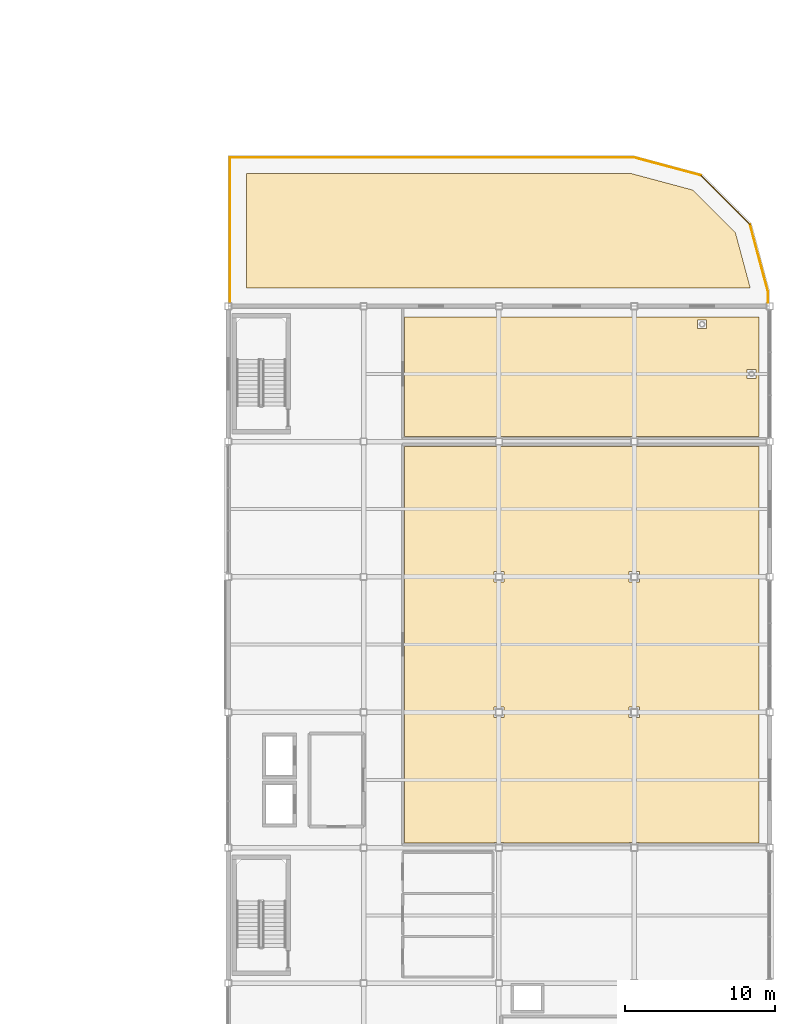
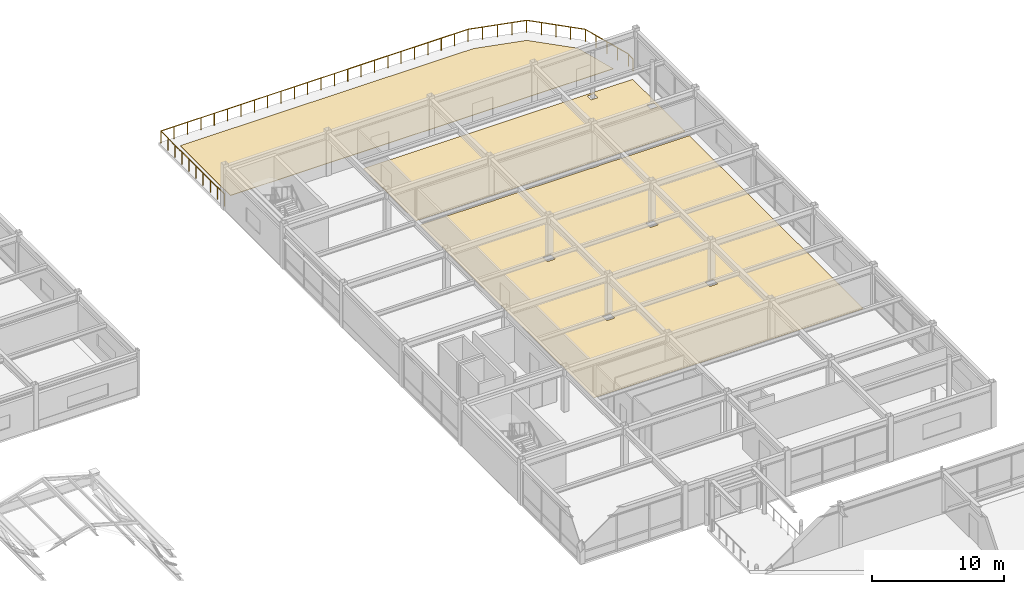
# One storey, part 108 of 108: 6 railings, 3 coverings.
"""IFC4 building model written with IfcOpenShell, lengths in metres."""

from ifc_helpers import new_model, si_unit, direction, frame, origin, origin_2d, place, context, subcontext, project, spatial, polyline, circle, outline, extrude, material, layer, layer_set, type_object, element, save


model = new_model("IFC4")

# Units and contexts
model_context = context("Model", 3, precision=1e-05, world=origin(), true_north=direction((0.0, 1.0)))
body_context = subcontext(model_context, "Body", "Model", "MODEL_VIEW")
ifc_project = project(units=[si_unit("LENGTHUNIT", "METRE"), si_unit("AREAUNIT", "SQUARE_METRE"), si_unit("VOLUMEUNIT", "CUBIC_METRE"), si_unit("PLANEANGLEUNIT", "RADIAN"), si_unit("MASSUNIT", "GRAM", prefix="KILO")], contexts=[model_context])

# Site, building, storey
site_placement = place(None, origin())
site = spatial("IfcSite", under=ifc_project, at=site_placement, CompositionType="ELEMENT")
building_placement = place(site_placement, origin())
building = spatial("IfcBuilding", under=site, at=building_placement, Name="Suzunagisa Mobility Hub", CompositionType="ELEMENT")
storey_placement = place(building_placement, frame((0.0, 0.0, 9.300048828125)))
storey = spatial("IfcBuildingStorey", under=building, at=storey_placement, Name="L02", CompositionType="ELEMENT", Elevation=9.300048828125)

# Coverings
ifc_material_1 = material(Name="Polished Aggregate Terrazzo Finish")
ifc_layer_1 = layer(ifc_material_1, 0.02001953125)
ifc_layer_set_1 = layer_set([ifc_layer_1], Name="Polished Aggregate Terrazzo Finish")
covering_type_1 = type_object("IfcCoveringType", Name="Polished Terrazzo Heavy-Traffic Flooring FLR-01", PredefinedType="FLOORING", material=ifc_layer_set_1)
covering_1_placement = place(storey_placement, origin())
element("IfcCovering", 1, at=covering_1_placement, inside=storey, type_object=covering_type_1, Name="L02 Community Mobility Exhibition and Civic Forum Hall Terrazzo Flooring", PredefinedType="FLOORING", context=body_context, shape_type="SweptSolid", body=[
    extrude(outline(polyline([(155.719970703125, 62.320068359375), (155.719970703125, 88.679931640625), (161.655029296875, 88.679931640625), (161.655029296875, 88.655029296875), (162.344970703125, 88.655029296875), (162.344970703125, 88.679931640625), (170.655029296875, 88.679931640625), (170.655029296875, 88.655029296875), (171.344970703125, 88.655029296875), (171.344970703125, 88.679931640625), (179.280029296875, 88.679931640625), (179.280029296875, 62.320068359375), (171.344970703125, 62.320068359375), (171.344970703125, 62.344970703125), (170.655029296875, 62.344970703125), (170.655029296875, 62.320068359375), (162.344970703125, 62.320068359375), (162.344970703125, 62.344970703125), (161.655029296875, 62.344970703125), (161.655029296875, 62.320068359375), (155.719970703125, 62.320068359375)]), holes=[polyline([(161.655029296875, 71.344970703125), (161.655029296875, 70.655029296875), (162.344970703125, 70.655029296875), (162.344970703125, 71.344970703125), (161.655029296875, 71.344970703125)]), polyline([(162.344970703125, 80.344970703125), (161.655029296875, 80.344970703125), (161.655029296875, 79.655029296875), (162.344970703125, 79.655029296875), (162.344970703125, 80.344970703125)]), polyline([(170.655029296875, 71.344970703125), (170.655029296875, 70.655029296875), (171.344970703125, 70.655029296875), (171.344970703125, 71.344970703125), (170.655029296875, 71.344970703125)]), polyline([(171.344970703125, 80.344970703125), (170.655029296875, 80.344970703125), (170.655029296875, 79.655029296875), (171.344970703125, 79.655029296875), (171.344970703125, 80.344970703125)])]), origin(), (0.0, 0.0, 1.0), 0.02001953125),
])
covering_2_placement = place(storey_placement, origin())
element("IfcCovering", 2, at=covering_2_placement, inside=storey, type_object=covering_type_1, Name="L02 District Disaster Prevention Stockpile Store L02 Terrazzo Flooring", PredefinedType="FLOORING", context=body_context, shape_type="SweptSolid", body=[
    extrude(outline(polyline([(171.344970703125, 89.320068359375), (171.344970703125, 89.344970703125), (170.655029296875, 89.344970703125), (170.655029296875, 89.320068359375), (162.344970703125, 89.320068359375), (162.344970703125, 89.344970703125), (161.655029296875, 89.344970703125), (161.655029296875, 89.320068359375), (155.719970703125, 89.320068359375), (155.719970703125, 97.280029296875), (179.280029296875, 97.280029296875), (179.280029296875, 89.320068359375), (171.344970703125, 89.320068359375)]), holes=[polyline([(175.7978515625, 97.092041015625), (175.2021484375, 97.092041015625), (175.2021484375, 96.496337890625), (175.7978515625, 96.496337890625), (175.7978515625, 97.092041015625)]), polyline([(179.092041015625, 93.2021484375), (179.092041015625, 93.7978515625), (178.496337890625, 93.7978515625), (178.496337890625, 93.2021484375), (179.092041015625, 93.2021484375)])]), origin(), (0.0, 0.0, 1.0), 0.02001953125),
])

# Railings
ifc_material_2 = material(Name="Anodized Aluminum and Stainless Steel SUS316", Category="metal")
railing_type = type_object("IfcRailingType", Name="Streamline Ship-Deck Tubular Balustrade BL-01", PredefinedType="BALUSTRADE", material=ifc_material_2)
railing_1_placement = place(storey_placement, frame((144.1201171875, 98.25, 0.0)))
element("IfcRailing", 3, at=railing_1_placement, inside=storey, type_object=railing_type, Name="L02 Terrace Perimeter Guardrail GR-53", PredefinedType="BALUSTRADE", context=body_context, shape_type="SweptSolid", body=[
    extrude(circle(Radius=0.02392578125, at=origin_2d()), frame((0.0, 0.0, 1.11572265625), z_axis=(0.0, 1.0, 0.0), x_axis=(-1.0, 0.0, 0.0)), (0.0, 0.0, 1.0), 9.6298828125),
    extrude(circle(Radius=0.02099609375, at=origin_2d()), origin(), (0.0, 0.0, 1.0), 1.091796875),
    extrude(circle(Radius=0.02099609375, at=origin_2d()), frame((0.0, 1.070068359375, 0.0)), (0.0, 0.0, 1.0), 1.091796875),
    extrude(circle(Radius=0.02099609375, at=origin_2d()), frame((0.0, 2.139892578125, 0.0)), (0.0, 0.0, 1.0), 1.091796875),
    extrude(circle(Radius=0.02099609375, at=origin_2d()), frame((0.0, 3.2099609375, 0.0)), (0.0, 0.0, 1.0), 1.091796875),
    extrude(circle(Radius=0.02099609375, at=origin_2d()), frame((0.0, 4.280029296875, 0.0)), (0.0, 0.0, 1.0), 1.091796875),
    extrude(circle(Radius=0.02099609375, at=origin_2d()), frame((0.0, 5.349853515625, 0.0)), (0.0, 0.0, 1.0), 1.091796875),
    extrude(circle(Radius=0.02099609375, at=origin_2d()), frame((0.0, 6.419921875, 0.0)), (0.0, 0.0, 1.0), 1.091796875),
    extrude(circle(Radius=0.02099609375, at=origin_2d()), frame((0.0, 7.489990234375, 0.0)), (0.0, 0.0, 1.0), 1.091796875),
    extrude(circle(Radius=0.02099609375, at=origin_2d()), frame((0.0, 8.559814453125, 0.0)), (0.0, 0.0, 1.0), 1.091796875),
    extrude(circle(Radius=0.02099609375, at=origin_2d()), frame((0.0, 9.6298828125, 0.0)), (0.0, 0.0, 1.0), 1.091796875),
])
railing_2_placement = place(storey_placement, frame((144.1201171875, 107.8798828125, 0.0)))
element("IfcRailing", 4, at=railing_2_placement, inside=storey, type_object=railing_type, Name="L02 Terrace Perimeter Guardrail GR-54", PredefinedType="BALUSTRADE", context=body_context, shape_type="SweptSolid", body=[
    extrude(circle(Radius=0.02392578125, at=origin_2d()), frame((0.0, 0.0, 1.11572265625), z_axis=(1.0, 0.0, 0.0), x_axis=(0.0, 1.0, 0.0)), (0.0, 0.0, 1.0), 26.864013671875),
    extrude(circle(Radius=0.02099609375, at=origin_2d()), origin(), (0.0, 0.0, 1.0), 1.091796875),
    extrude(circle(Radius=0.02099609375, at=origin_2d()), frame((1.16796875, 0.0, 0.0)), (0.0, 0.0, 1.0), 1.091796875),
    extrude(circle(Radius=0.02099609375, at=origin_2d()), frame((2.3359375, 0.0, 0.0)), (0.0, 0.0, 1.0), 1.091796875),
    extrude(circle(Radius=0.02099609375, at=origin_2d()), frame((3.50390625, 0.0, 0.0)), (0.0, 0.0, 1.0), 1.091796875),
    extrude(circle(Radius=0.02099609375, at=origin_2d()), frame((4.672119140625, 0.0, 0.0)), (0.0, 0.0, 1.0), 1.091796875),
    extrude(circle(Radius=0.02099609375, at=origin_2d()), frame((5.840087890625, 0.0, 0.0)), (0.0, 0.0, 1.0), 1.091796875),
    extrude(circle(Radius=0.02099609375, at=origin_2d()), frame((7.008056640625, 0.0, 0.0)), (0.0, 0.0, 1.0), 1.091796875),
    extrude(circle(Radius=0.02099609375, at=origin_2d()), frame((8.176025390625, 0.0, 0.0)), (0.0, 0.0, 1.0), 1.091796875),
    extrude(circle(Radius=0.02099609375, at=origin_2d()), frame((9.343994140625, 0.0, 0.0)), (0.0, 0.0, 1.0), 1.091796875),
    extrude(circle(Radius=0.02099609375, at=origin_2d()), frame((10.511962890625, 0.0, 0.0)), (0.0, 0.0, 1.0), 1.091796875),
    extrude(circle(Radius=0.02099609375, at=origin_2d()), frame((11.679931640625, 0.0, 0.0)), (0.0, 0.0, 1.0), 1.091796875),
    extrude(circle(Radius=0.02099609375, at=origin_2d()), frame((12.847900390625, 0.0, 0.0)), (0.0, 0.0, 1.0), 1.091796875),
    extrude(circle(Radius=0.02099609375, at=origin_2d()), frame((14.01611328125, 0.0, 0.0)), (0.0, 0.0, 1.0), 1.091796875),
    extrude(circle(Radius=0.02099609375, at=origin_2d()), frame((15.18408203125, 0.0, 0.0)), (0.0, 0.0, 1.0), 1.091796875),
    extrude(circle(Radius=0.02099609375, at=origin_2d()), frame((16.35205078125, 0.0, 0.0)), (0.0, 0.0, 1.0), 1.091796875),
    extrude(circle(Radius=0.02099609375, at=origin_2d()), frame((17.52001953125, 0.0, 0.0)), (0.0, 0.0, 1.0), 1.091796875),
    extrude(circle(Radius=0.02099609375, at=origin_2d()), frame((18.68798828125, 0.0, 0.0)), (0.0, 0.0, 1.0), 1.091796875),
    extrude(circle(Radius=0.02099609375, at=origin_2d()), frame((19.85595703125, 0.0, 0.0)), (0.0, 0.0, 1.0), 1.091796875),
    extrude(circle(Radius=0.02099609375, at=origin_2d()), frame((21.02392578125, 0.0, 0.0)), (0.0, 0.0, 1.0), 1.091796875),
    extrude(circle(Radius=0.02099609375, at=origin_2d()), frame((22.19189453125, 0.0, 0.0)), (0.0, 0.0, 1.0), 1.091796875),
    extrude(circle(Radius=0.02099609375, at=origin_2d()), frame((23.360107421875, 0.0, 0.0)), (0.0, 0.0, 1.0), 1.091796875),
    extrude(circle(Radius=0.02099609375, at=origin_2d()), frame((24.528076171875, 0.0, 0.0)), (0.0, 0.0, 1.0), 1.091796875),
    extrude(circle(Radius=0.02099609375, at=origin_2d()), frame((25.696044921875, 0.0, 0.0)), (0.0, 0.0, 1.0), 1.091796875),
    extrude(circle(Radius=0.02099609375, at=origin_2d()), frame((26.864013671875, 0.0, 0.0)), (0.0, 0.0, 1.0), 1.091796875),
])
railing_3_placement = place(storey_placement, frame((170.984130859375, 107.8798828125, 0.0)))
element("IfcRailing", 5, at=railing_3_placement, inside=storey, type_object=railing_type, Name="L02 Terrace Perimeter Guardrail GR-55", PredefinedType="BALUSTRADE", context=body_context, shape_type="SweptSolid", body=[
    extrude(circle(Radius=0.02392578125, at=origin_2d()), frame((0.0, 0.0, 1.11572265625), z_axis=(0.965928435479, -0.258809307275, 0.0), x_axis=(0.258809307275, 0.965928435479, 0.0)), (0.0, 0.0, 1.0), 4.61083984375),
    extrude(circle(Radius=0.02099609375, at=origin_2d()), origin(), (0.0, 0.0, 1.0), 1.091796875),
    extrude(circle(Radius=0.02099609375, at=origin_2d()), frame((1.113525390625, -0.29833984375, 0.0)), (0.0, 0.0, 1.0), 1.091796875),
    extrude(circle(Radius=0.02099609375, at=origin_2d()), frame((2.22705078125, -0.5966796875, 0.0)), (0.0, 0.0, 1.0), 1.091796875),
    extrude(circle(Radius=0.02099609375, at=origin_2d()), frame((3.34033203125, -0.89501953125, 0.0)), (0.0, 0.0, 1.0), 1.091796875),
    extrude(circle(Radius=0.02099609375, at=origin_2d()), frame((4.453857421875, -1.193359375, 0.0)), (0.0, 0.0, 1.0), 1.091796875),
])
railing_4_placement = place(storey_placement, frame((175.43798828125, 106.6865234375, 0.0)))
element("IfcRailing", 6, at=railing_4_placement, inside=storey, type_object=railing_type, Name="L02 Terrace Perimeter Guardrail GR-56", PredefinedType="BALUSTRADE", context=body_context, shape_type="SweptSolid", body=[
    extrude(circle(Radius=0.02392578125, at=origin_2d()), frame((0.0, 0.0, 1.11572265625), z_axis=(0.707106781187, -0.707106781187, 0.0), x_axis=(0.707106781187, 0.707106781187, 0.0)), (0.0, 0.0, 1.0), 4.59423828125),
    extrude(circle(Radius=0.02099609375, at=origin_2d()), origin(), (0.0, 0.0, 1.0), 1.091796875),
    extrude(circle(Radius=0.02099609375, at=origin_2d()), frame((0.81201171875, -0.81201171875, 0.0)), (0.0, 0.0, 1.0), 1.091796875),
    extrude(circle(Radius=0.02099609375, at=origin_2d()), frame((1.624267578125, -1.624267578125, 0.0)), (0.0, 0.0, 1.0), 1.091796875),
    extrude(circle(Radius=0.02099609375, at=origin_2d()), frame((2.4365234375, -2.4365234375, 0.0)), (0.0, 0.0, 1.0), 1.091796875),
    extrude(circle(Radius=0.02099609375, at=origin_2d()), frame((3.24853515625, -3.24853515625, 0.0)), (0.0, 0.0, 1.0), 1.091796875),
])
railing_5_placement = place(storey_placement, frame((178.6865234375, 103.43798828125, 0.0)))
element("IfcRailing", 7, at=railing_5_placement, inside=storey, type_object=railing_type, Name="L02 Terrace Perimeter Guardrail GR-57", PredefinedType="BALUSTRADE", context=body_context, shape_type="SweptSolid", body=[
    extrude(circle(Radius=0.02392578125, at=origin_2d()), frame((0.0, 0.0, 1.11572265625), z_axis=(0.258809307275, -0.965928435479, 0.0), x_axis=(0.965928435479, 0.258809307275, 0.0)), (0.0, 0.0, 1.0), 4.61083984375),
    extrude(circle(Radius=0.02099609375, at=origin_2d()), origin(), (0.0, 0.0, 1.0), 1.091796875),
    extrude(circle(Radius=0.02099609375, at=origin_2d()), frame((0.29833984375, -1.113525390625, 0.0)), (0.0, 0.0, 1.0), 1.091796875),
    extrude(circle(Radius=0.02099609375, at=origin_2d()), frame((0.5966796875, -2.22705078125, 0.0)), (0.0, 0.0, 1.0), 1.091796875),
    extrude(circle(Radius=0.02099609375, at=origin_2d()), frame((0.89501953125, -3.34033203125, 0.0)), (0.0, 0.0, 1.0), 1.091796875),
    extrude(circle(Radius=0.02099609375, at=origin_2d()), frame((1.193359375, -4.453857421875, 0.0)), (0.0, 0.0, 1.0), 1.091796875),
])
railing_6_placement = place(storey_placement, frame((179.8798828125, 98.984130859375, 0.0)))
element("IfcRailing", 8, at=railing_6_placement, inside=storey, type_object=railing_type, Name="L02 Terrace Perimeter Guardrail GR-58", PredefinedType="BALUSTRADE", context=body_context, shape_type="SweptSolid", body=[
    extrude(circle(Radius=0.02392578125, at=origin_2d()), frame((0.0, 0.0, 1.11572265625), z_axis=(0.0, -1.0, 0.0), x_axis=(1.0, 0.0, 0.0)), (0.0, 0.0, 1.0), 0.734130859375),
    extrude(circle(Radius=0.02099609375, at=origin_2d()), origin(), (0.0, 0.0, 1.0), 1.091796875),
    extrude(circle(Radius=0.02099609375, at=origin_2d()), frame((0.0, -0.734130859375, 0.0)), (0.0, 0.0, 1.0), 1.091796875),
])

# Covering
ifc_material_3 = material(Name="TPO Waterproof Membrane over Rigid Insulation")
ifc_layer_2 = layer(ifc_material_3, 0.044921875)
ifc_layer_set_2 = layer_set([ifc_layer_2], Name="TPO Waterproof Membrane over Rigid Insulation")
covering_type_2 = type_object("IfcCoveringType", Name="TPO Insulated Waterproof Roof Membrane RF-01", PredefinedType="ROOFING", material=ifc_layer_set_2)
covering_3_placement = place(storey_placement, origin())
element("IfcCovering", 9, at=covering_3_placement, inside=storey, type_object=covering_type_2, Name="L02 Terrace Deck Waterproofing Layer RF-62", PredefinedType="ROOFING", context=body_context, shape_type="SweptSolid", body=[
    extrude(outline(polyline([(145.199951171875, 99.199951171875), (145.199951171875, 106.800048828125), (170.842041015625, 106.800048828125), (174.87890625, 105.71826171875), (177.71826171875, 102.87890625), (178.7041015625, 99.199951171875), (145.199951171875, 99.199951171875)])), origin(), (0.0, 0.0, 1.0), 0.044921875),
])

save(model, "model.ifc")
